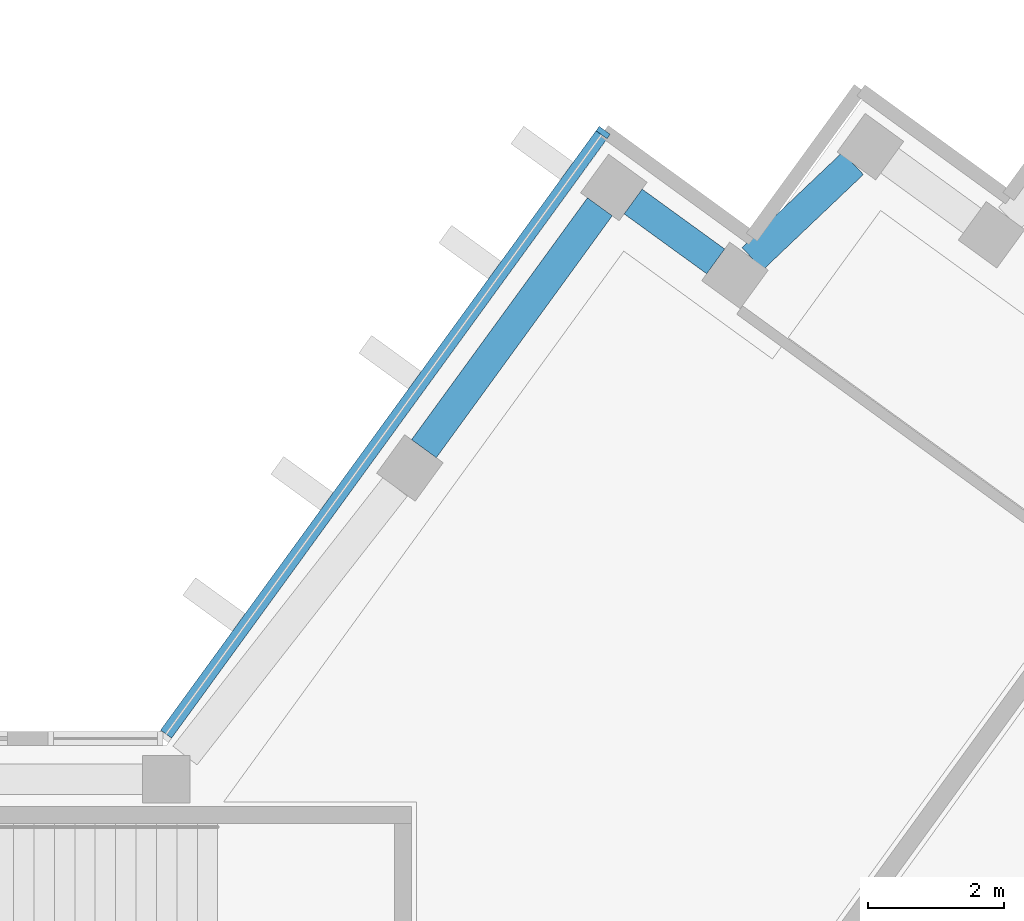
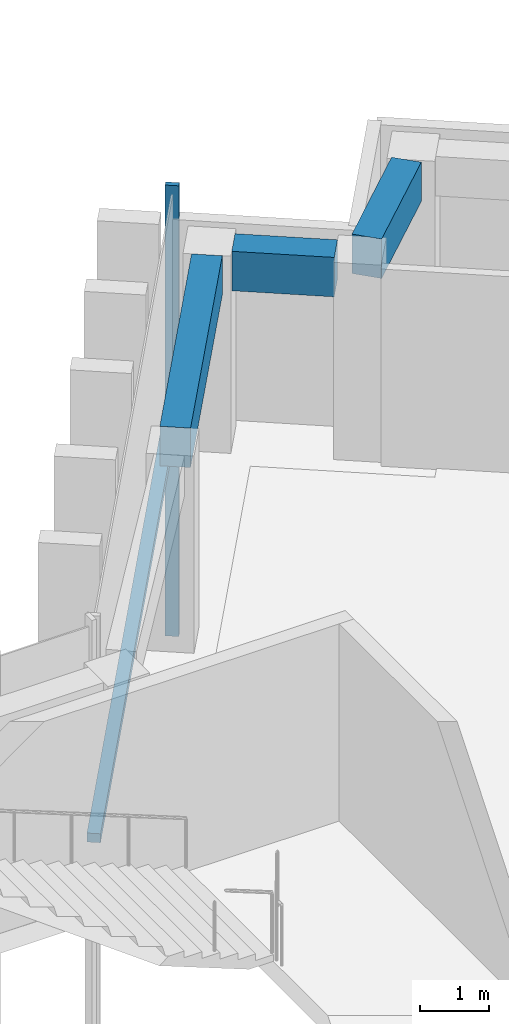
# One storey, part 4 of 13: 3 beams, 2 members, 1 element without a shape of its own.
"""IFC4 building model written with IfcOpenShell, lengths in metres."""

from ifc_helpers import new_model, si_unit, direction, frame, origin, origin_2d, place, context, subcontext, project, spatial, rectangle, extrude, material, material_profile, profile_set, type_object, element, aggregate, save


model = new_model("IFC4")

# Units and contexts
model_context = context("Model", 3, precision=1e-05, world=origin(), true_north=direction((0.0, 1.0)))
body_context = subcontext(model_context, "Body", "Model", "MODEL_VIEW")
ifc_project = project(units=[si_unit("LENGTHUNIT", "METRE"), si_unit("AREAUNIT", "SQUARE_METRE"), si_unit("VOLUMEUNIT", "CUBIC_METRE"), si_unit("PLANEANGLEUNIT", "RADIAN"), si_unit("MASSUNIT", "GRAM", prefix="KILO")], contexts=[model_context])

# Site, building, storey
site_placement = place(None, origin())
site = spatial("IfcSite", under=ifc_project, at=site_placement, CompositionType="ELEMENT")
building_placement = place(site_placement, origin())
building = spatial("IfcBuilding", under=site, at=building_placement, Name="Quipu Civic Tower", CompositionType="ELEMENT")
storey_placement = place(building_placement, frame((0.0, 0.0, 269.0)))
storey = spatial("IfcBuildingStorey", under=building, at=storey_placement, Name="L63", CompositionType="ELEMENT", Elevation=269.0)

# Curtain wall, member
ifc_material_1 = material(Name="Insulated glass unit", Category="glass")
curtain_wall_type = type_object("IfcCurtainWallType", Name="Office curtain wall CW1", PredefinedType="NOTDEFINED", material=ifc_material_1)
curtain_wall_placement = place(storey_placement, origin())
curtain_wall = element("IfcCurtainWall", 1, at=curtain_wall_placement, inside=storey, type_object=curtain_wall_type, Name="Office curtain wall CW1 L62 run 26", PredefinedType="NOTDEFINED")
ifc_material_2 = material(Name="Anodised aluminium", Category="aluminium")
ifc_material_profile_1 = material_profile(ifc_material_2, rectangle(XDim=0.199951171875, YDim=0.080078125, at=origin_2d()), Name="RECT 200x80")
ifc_profile_set_1 = profile_set([ifc_material_profile_1], Name="Anodised aluminium")
member_type_1 = type_object("IfcMemberType", Name="Mullion CW1", PredefinedType="MULLION", material=ifc_profile_set_1)
member_1_placement = place(storey_placement, frame((20.8125, 20.002685546875, -3.919921875), z_axis=(0.0, 0.0, 1.0), x_axis=(0.809015163947, -0.587787771652, 0.0)))
member_1 = element("IfcMember", 2, at=member_1_placement, type_object=member_type_1, Name="CW1 mullion 1", PredefinedType="MULLION", context=body_context, shape_type="SweptSolid", body=[
    extrude(rectangle(XDim=0.199951171875, YDim=0.080078125, at=origin_2d()), origin(), (0.0, 0.0, 1.0), 8.0),
])

# Beams
ifc_material_3 = material(Name="Concrete C50/60", Category="concrete")
ifc_material_profile_2 = material_profile(ifc_material_3, rectangle(XDim=0.449951171875, YDim=0.699951171875, at=origin_2d()), Name="RC450x700")
ifc_profile_set_2 = profile_set([ifc_material_profile_2], Name="Concrete C50/60")
beam_type = type_object("IfcBeamType", Name="Spandrel beam RC 450x700 C50/60", PredefinedType="SPANDREL", material=ifc_profile_set_2)
beam_1_placement = place(storey_placement, frame((24.48193359375, 19.5498046875, 3.14990234375), z_axis=(-0.72511931772, -0.6886232461, 0.0), x_axis=(0.6886232461, -0.72511931772, 0.0)))
element("IfcBeam", 3, at=beam_1_placement, inside=storey, type_object=beam_type, Name="Spandrel beam L63 T-Ei.2-E22 to T-Ei.3-E22", PredefinedType="SPANDREL", context=body_context, shape_type="SweptSolid", body=[
    extrude(rectangle(XDim=0.449951171875, YDim=0.699951171875, at=origin_2d()), origin(), (0.0, 0.0, 1.0), 2.03369140625),
])
beam_2_placement = place(storey_placement, frame((22.466064453125, 18.10986328125, 3.14990234375), z_axis=(-0.809461336076, 0.587173181776, 0.0), x_axis=(-0.587173181776, -0.809461336076, 0.0)))
element("IfcBeam", 4, at=beam_2_placement, inside=storey, type_object=beam_type, Name="Spandrel beam L63 T-Ei.3-E22 to T-Ei.4-E22", PredefinedType="SPANDREL", context=body_context, shape_type="SweptSolid", body=[
    extrude(rectangle(XDim=0.449951171875, YDim=0.699951171875, at=origin_2d()), origin(), (0.0, 0.0, 1.0), 1.498046875),
])
beam_3_placement = place(storey_placement, frame((20.76416015625, 18.911865234375, 3.14990234375), z_axis=(-0.588201428764, -0.808714460857, 0.0), x_axis=(0.808714460857, -0.588201428764, 0.0)))
element("IfcBeam", 5, at=beam_3_placement, inside=storey, type_object=beam_type, Name="Spandrel beam L63 T-Ei.4-E22 to E-IN-01", PredefinedType="SPANDREL", context=body_context, shape_type="SweptSolid", body=[
    extrude(rectangle(XDim=0.449951171875, YDim=0.699951171875, at=origin_2d()), origin(), (0.0, 0.0, 1.0), 4.394287109375),
])

# Member
ifc_material_4 = material(Name="Anodised aluminium", Category="aluminium")
ifc_material_profile_3 = material_profile(ifc_material_4, rectangle(XDim=0.199951171875, YDim=0.159912109375, at=origin_2d()), Name="RECT 200x160")
ifc_profile_set_3 = profile_set([ifc_material_profile_3], Name="Anodised aluminium")
member_type_2 = type_object("IfcMemberType", Name="Transom CW1", PredefinedType="USERDEFINED", material=ifc_profile_set_3)
member_2_placement = place(storey_placement, frame((20.788818359375, 19.97021484375, 0.080078125), z_axis=(-0.587796859727, -0.809008560953, 0.0), x_axis=(0.809008560953, -0.587796859727, 0.0)))
member_2 = element("IfcMember", 6, at=member_2_placement, type_object=member_type_2, Name="CW1 transom 1.2", ObjectType="TRANSOM", PredefinedType="USERDEFINED", context=body_context, shape_type="SweptSolid", body=[
    extrude(rectangle(XDim=0.199951171875, YDim=0.159912109375, at=origin_2d()), origin(), (0.0, 0.0, 1.0), 10.88427734375),
])

aggregate(curtain_wall, [member_1, member_2])

save(model, "model.ifc")
